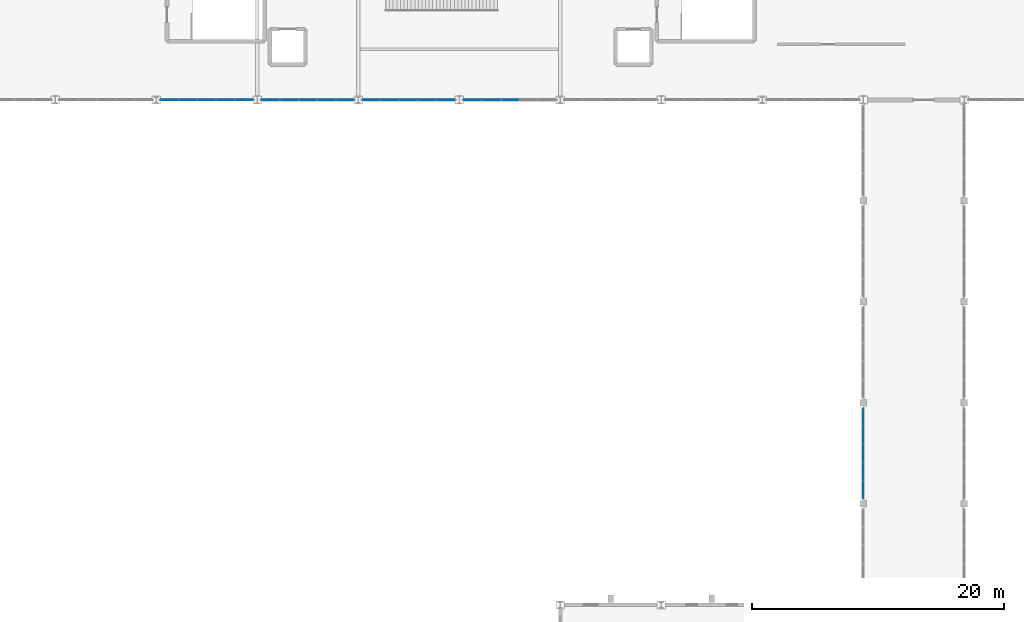
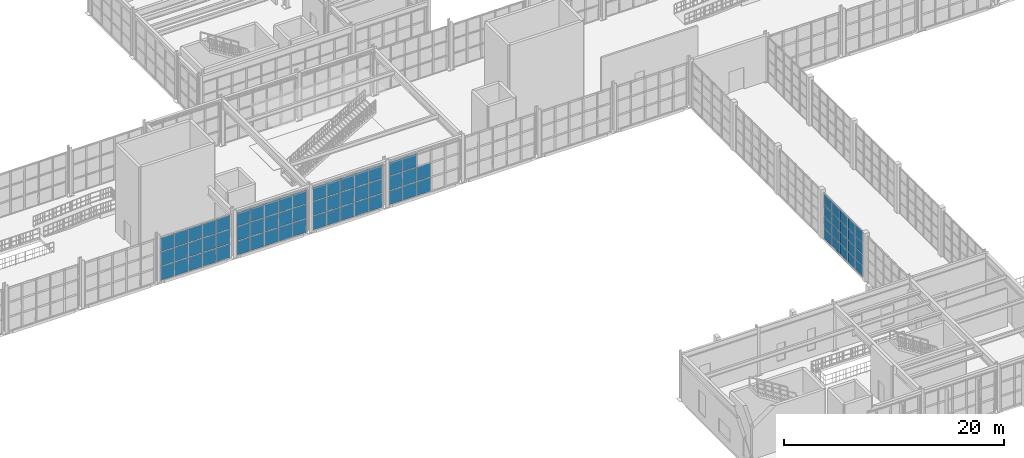
# One storey, part 51 of 82: 73 plates, 5 elements without a shape of their own.
"""IFC4 building model written with IfcOpenShell, lengths in metres."""

from ifc_helpers import new_model, si_unit, direction, frame, origin, origin_2d, place, context, subcontext, project, spatial, rectangle, extrude, material, layer, layer_set, type_object, element, aggregate, save


model = new_model("IFC4")

# Units and contexts
model_context = context("Model", 3, precision=1e-05, world=origin(), true_north=direction((0.0, 1.0)))
body_context = subcontext(model_context, "Body", "Model", "MODEL_VIEW")
ifc_project = project(units=[si_unit("LENGTHUNIT", "METRE"), si_unit("AREAUNIT", "SQUARE_METRE"), si_unit("VOLUMEUNIT", "CUBIC_METRE"), si_unit("PLANEANGLEUNIT", "RADIAN"), si_unit("MASSUNIT", "GRAM", prefix="KILO")], contexts=[model_context])

# Site, building, storey
site_placement = place(None, origin())
site = spatial("IfcSite", under=ifc_project, at=site_placement, CompositionType="ELEMENT")
building_placement = place(site_placement, origin())
building = spatial("IfcBuilding", under=site, at=building_placement, Name="Serraluz Foothill Cableway Terminal", CompositionType="ELEMENT")
storey_placement = place(building_placement, frame((0.0, 0.0, 9.60009765625)))
storey = spatial("IfcBuildingStorey", under=building, at=storey_placement, Name="L02", CompositionType="ELEMENT", Elevation=9.60009765625)

# Curtain wall, plates
ifc_material_1 = material(Name="Architectural bronze alloy C28000", Category="aluminium")
curtain_wall_type_1 = type_object("IfcCurtainWallType", Name="TYP-CW-520X480", PredefinedType="NOTDEFINED", material=ifc_material_1)
curtain_wall_1_placement = place(storey_placement, origin())
curtain_wall_1 = element("IfcCurtainWall", 1, at=curtain_wall_1_placement, inside=storey, type_object=curtain_wall_type_1, Name="Ribbed Glazed Curtain Wall CW-V1S-L02-64", PredefinedType="NOTDEFINED")
ifc_material_2 = material(Name="Translucent ribbed laminated channel glass", Category="glass")
ifc_layer = layer(ifc_material_2, 0.028076171875, Name="Translucent ribbed laminated channel glass", Category="glass")
ifc_layer_set = layer_set([ifc_layer], Name="Translucent ribbed laminated channel glass")
plate_type = type_object("IfcPlateType", Name="TYP-CW-PNL-28", PredefinedType="CURTAIN_PANEL", material=ifc_layer_set)
plate_1_placement = place(storey_placement, frame((70.94091796875, 56.0, 0.06005859375), z_axis=(0.0, 0.0, 1.0), x_axis=(-1.0, 0.0, 0.0)))
plate_1 = element("IfcPlate", 2, at=plate_1_placement, type_object=plate_type, Name="CW-09 panel 1.1", PredefinedType="CURTAIN_PANEL", context=body_context, shape_type="SweptSolid", body=[
    extrude(rectangle(XDim=1.393310546875, YDim=0.028076171875, at=origin_2d()), origin(), (0.0, 0.0, 1.0), 1.526611328125),
])
plate_2_placement = place(storey_placement, frame((70.94091796875, 56.0, 1.646484375), z_axis=(0.0, 0.0, 1.0), x_axis=(-1.0, 0.0, 0.0)))
plate_2 = element("IfcPlate", 3, at=plate_2_placement, type_object=plate_type, Name="CW-09 panel 1.2", PredefinedType="CURTAIN_PANEL", context=body_context, shape_type="SweptSolid", body=[
    extrude(rectangle(XDim=1.393310546875, YDim=0.028076171875, at=origin_2d()), origin(), (0.0, 0.0, 1.0), 1.556640625),
])
plate_3_placement = place(storey_placement, frame((70.94091796875, 56.0, 3.26318359375), z_axis=(0.0, 0.0, 1.0), x_axis=(-1.0, 0.0, 0.0)))
plate_3 = element("IfcPlate", 4, at=plate_3_placement, type_object=plate_type, Name="CW-09 panel 1.3", PredefinedType="CURTAIN_PANEL", context=body_context, shape_type="SweptSolid", body=[
    extrude(rectangle(XDim=1.393310546875, YDim=0.028076171875, at=origin_2d()), origin(), (0.0, 0.0, 1.0), 1.526611328125),
])
plate_4_placement = place(storey_placement, frame((69.47265625, 56.0, 0.06005859375), z_axis=(0.0, 0.0, 1.0), x_axis=(-1.0, 0.0, 0.0)))
plate_4 = element("IfcPlate", 5, at=plate_4_placement, type_object=plate_type, Name="CW-09 panel 2.1", PredefinedType="CURTAIN_PANEL", context=body_context, shape_type="SweptSolid", body=[
    extrude(rectangle(XDim=1.423095703125, YDim=0.028076171875, at=origin_2d()), origin(), (0.0, 0.0, 1.0), 1.526611328125),
])
plate_5_placement = place(storey_placement, frame((69.47265625, 56.0, 1.646484375), z_axis=(0.0, 0.0, 1.0), x_axis=(-1.0, 0.0, 0.0)))
plate_5 = element("IfcPlate", 6, at=plate_5_placement, type_object=plate_type, Name="CW-09 panel 2.2", PredefinedType="CURTAIN_PANEL", context=body_context, shape_type="SweptSolid", body=[
    extrude(rectangle(XDim=1.423095703125, YDim=0.028076171875, at=origin_2d()), origin(), (0.0, 0.0, 1.0), 1.556640625),
])
plate_6_placement = place(storey_placement, frame((69.47265625, 56.0, 3.26318359375), z_axis=(0.0, 0.0, 1.0), x_axis=(-1.0, 0.0, 0.0)))
plate_6 = element("IfcPlate", 7, at=plate_6_placement, type_object=plate_type, Name="CW-09 panel 2.3", PredefinedType="CURTAIN_PANEL", context=body_context, shape_type="SweptSolid", body=[
    extrude(rectangle(XDim=1.423095703125, YDim=0.028076171875, at=origin_2d()), origin(), (0.0, 0.0, 1.0), 1.526611328125),
])
plate_7_placement = place(storey_placement, frame((67.989501953125, 56.0, 0.06005859375), z_axis=(0.0, 0.0, 1.0), x_axis=(-1.0, 0.0, 0.0)))
plate_7 = element("IfcPlate", 8, at=plate_7_placement, type_object=plate_type, Name="CW-09 panel 3.1", PredefinedType="CURTAIN_PANEL", context=body_context, shape_type="SweptSolid", body=[
    extrude(rectangle(XDim=1.423095703125, YDim=0.028076171875, at=origin_2d()), origin(), (0.0, 0.0, 1.0), 1.526611328125),
])
plate_8_placement = place(storey_placement, frame((67.989501953125, 56.0, 1.646484375), z_axis=(0.0, 0.0, 1.0), x_axis=(-1.0, 0.0, 0.0)))
plate_8 = element("IfcPlate", 9, at=plate_8_placement, type_object=plate_type, Name="CW-09 panel 3.2", PredefinedType="CURTAIN_PANEL", context=body_context, shape_type="SweptSolid", body=[
    extrude(rectangle(XDim=1.423095703125, YDim=0.028076171875, at=origin_2d()), origin(), (0.0, 0.0, 1.0), 1.556640625),
])
plate_9_placement = place(storey_placement, frame((67.989501953125, 56.0, 3.26318359375), z_axis=(0.0, 0.0, 1.0), x_axis=(-1.0, 0.0, 0.0)))
plate_9 = element("IfcPlate", 10, at=plate_9_placement, type_object=plate_type, Name="CW-09 panel 3.3", PredefinedType="CURTAIN_PANEL", context=body_context, shape_type="SweptSolid", body=[
    extrude(rectangle(XDim=1.423095703125, YDim=0.028076171875, at=origin_2d()), origin(), (0.0, 0.0, 1.0), 1.526611328125),
])
plate_10_placement = place(storey_placement, frame((66.50634765625, 56.0, 0.06005859375), z_axis=(0.0, 0.0, 1.0), x_axis=(-1.0, 0.0, 0.0)))
plate_10 = element("IfcPlate", 11, at=plate_10_placement, type_object=plate_type, Name="CW-09 panel 4.1", PredefinedType="CURTAIN_PANEL", context=body_context, shape_type="SweptSolid", body=[
    extrude(rectangle(XDim=1.423095703125, YDim=0.028076171875, at=origin_2d()), origin(), (0.0, 0.0, 1.0), 1.526611328125),
])
plate_11_placement = place(storey_placement, frame((66.50634765625, 56.0, 1.646484375), z_axis=(0.0, 0.0, 1.0), x_axis=(-1.0, 0.0, 0.0)))
plate_11 = element("IfcPlate", 12, at=plate_11_placement, type_object=plate_type, Name="CW-09 panel 4.2", PredefinedType="CURTAIN_PANEL", context=body_context, shape_type="SweptSolid", body=[
    extrude(rectangle(XDim=1.423095703125, YDim=0.028076171875, at=origin_2d()), origin(), (0.0, 0.0, 1.0), 1.556640625),
])
plate_12_placement = place(storey_placement, frame((66.50634765625, 56.0, 3.26318359375), z_axis=(0.0, 0.0, 1.0), x_axis=(-1.0, 0.0, 0.0)))
plate_12 = element("IfcPlate", 13, at=plate_12_placement, type_object=plate_type, Name="CW-09 panel 4.3", PredefinedType="CURTAIN_PANEL", context=body_context, shape_type="SweptSolid", body=[
    extrude(rectangle(XDim=1.423095703125, YDim=0.028076171875, at=origin_2d()), origin(), (0.0, 0.0, 1.0), 1.526611328125),
])
plate_13_placement = place(storey_placement, frame((65.0380859375, 56.0, 0.06005859375), z_axis=(0.0, 0.0, 1.0), x_axis=(-1.0, 0.0, 0.0)))
plate_13 = element("IfcPlate", 14, at=plate_13_placement, type_object=plate_type, Name="CW-09 panel 5.1", PredefinedType="CURTAIN_PANEL", context=body_context, shape_type="SweptSolid", body=[
    extrude(rectangle(XDim=1.393310546875, YDim=0.028076171875, at=origin_2d()), origin(), (0.0, 0.0, 1.0), 1.526611328125),
])
plate_14_placement = place(storey_placement, frame((65.0380859375, 56.0, 1.646484375), z_axis=(0.0, 0.0, 1.0), x_axis=(-1.0, 0.0, 0.0)))
plate_14 = element("IfcPlate", 15, at=plate_14_placement, type_object=plate_type, Name="CW-09 panel 5.2", PredefinedType="CURTAIN_PANEL", context=body_context, shape_type="SweptSolid", body=[
    extrude(rectangle(XDim=1.393310546875, YDim=0.028076171875, at=origin_2d()), origin(), (0.0, 0.0, 1.0), 1.556640625),
])
plate_15_placement = place(storey_placement, frame((65.0380859375, 56.0, 3.26318359375), z_axis=(0.0, 0.0, 1.0), x_axis=(-1.0, 0.0, 0.0)))
plate_15 = element("IfcPlate", 16, at=plate_15_placement, type_object=plate_type, Name="CW-09 panel 5.3", PredefinedType="CURTAIN_PANEL", context=body_context, shape_type="SweptSolid", body=[
    extrude(rectangle(XDim=1.393310546875, YDim=0.028076171875, at=origin_2d()), origin(), (0.0, 0.0, 1.0), 1.526611328125),
])
aggregate(curtain_wall_1, [plate_1, plate_2, plate_3, plate_4, plate_5, plate_6, plate_7, plate_8, plate_9, plate_10, plate_11, plate_12, plate_13, plate_14, plate_15])

curtain_wall_type_2 = type_object("IfcCurtainWallType", Name="TYP-CW-540X420", PredefinedType="NOTDEFINED", material=ifc_material_1)
curtain_wall_2_placement = place(storey_placement, origin())
curtain_wall_2 = element("IfcCurtainWall", 17, at=curtain_wall_2_placement, inside=storey, type_object=curtain_wall_type_2, Name="Ribbed Glazed Curtain Wall CW-V1S-L02-72", PredefinedType="NOTDEFINED")
plate_16_placement = place(storey_placement, frame((78.9619140625, 56.0, 0.06005859375), z_axis=(0.0, 0.0, 1.0), x_axis=(-1.0, 0.0, 0.0)))
plate_16 = element("IfcPlate", 18, at=plate_16_placement, type_object=plate_type, Name="CW-10 panel 1.1", PredefinedType="CURTAIN_PANEL", context=body_context, shape_type="SweptSolid", body=[
    extrude(rectangle(XDim=1.393310546875, YDim=0.028076171875, at=origin_2d()), origin(), (0.0, 0.0, 1.0), 1.526611328125),
])
plate_17_placement = place(storey_placement, frame((78.9619140625, 56.0, 1.646484375), z_axis=(0.0, 0.0, 1.0), x_axis=(-1.0, 0.0, 0.0)))
plate_17 = element("IfcPlate", 19, at=plate_17_placement, type_object=plate_type, Name="CW-10 panel 1.2", PredefinedType="CURTAIN_PANEL", context=body_context, shape_type="SweptSolid", body=[
    extrude(rectangle(XDim=1.393310546875, YDim=0.028076171875, at=origin_2d()), origin(), (0.0, 0.0, 1.0), 1.556640625),
])
plate_18_placement = place(storey_placement, frame((78.9619140625, 56.0, 3.26318359375), z_axis=(0.0, 0.0, 1.0), x_axis=(-1.0, 0.0, 0.0)))
plate_18 = element("IfcPlate", 20, at=plate_18_placement, type_object=plate_type, Name="CW-10 panel 1.3", PredefinedType="CURTAIN_PANEL", context=body_context, shape_type="SweptSolid", body=[
    extrude(rectangle(XDim=1.393310546875, YDim=0.028076171875, at=origin_2d()), origin(), (0.0, 0.0, 1.0), 1.526611328125),
])
plate_19_placement = place(storey_placement, frame((77.49365234375, 56.0, 0.06005859375), z_axis=(0.0, 0.0, 1.0), x_axis=(-1.0, 0.0, 0.0)))
plate_19 = element("IfcPlate", 21, at=plate_19_placement, type_object=plate_type, Name="CW-10 panel 2.1", PredefinedType="CURTAIN_PANEL", context=body_context, shape_type="SweptSolid", body=[
    extrude(rectangle(XDim=1.423095703125, YDim=0.028076171875, at=origin_2d()), origin(), (0.0, 0.0, 1.0), 1.526611328125),
])
plate_20_placement = place(storey_placement, frame((77.49365234375, 56.0, 1.646484375), z_axis=(0.0, 0.0, 1.0), x_axis=(-1.0, 0.0, 0.0)))
plate_20 = element("IfcPlate", 22, at=plate_20_placement, type_object=plate_type, Name="CW-10 panel 2.2", PredefinedType="CURTAIN_PANEL", context=body_context, shape_type="SweptSolid", body=[
    extrude(rectangle(XDim=1.423095703125, YDim=0.028076171875, at=origin_2d()), origin(), (0.0, 0.0, 1.0), 1.556640625),
])
plate_21_placement = place(storey_placement, frame((77.49365234375, 56.0, 3.26318359375), z_axis=(0.0, 0.0, 1.0), x_axis=(-1.0, 0.0, 0.0)))
plate_21 = element("IfcPlate", 23, at=plate_21_placement, type_object=plate_type, Name="CW-10 panel 2.3", PredefinedType="CURTAIN_PANEL", context=body_context, shape_type="SweptSolid", body=[
    extrude(rectangle(XDim=1.423095703125, YDim=0.028076171875, at=origin_2d()), origin(), (0.0, 0.0, 1.0), 1.526611328125),
])
plate_22_placement = place(storey_placement, frame((76.010498046875, 56.0, 0.06005859375), z_axis=(0.0, 0.0, 1.0), x_axis=(-1.0, 0.0, 0.0)))
plate_22 = element("IfcPlate", 24, at=plate_22_placement, type_object=plate_type, Name="CW-10 panel 3.1", PredefinedType="CURTAIN_PANEL", context=body_context, shape_type="SweptSolid", body=[
    extrude(rectangle(XDim=1.423095703125, YDim=0.028076171875, at=origin_2d()), origin(), (0.0, 0.0, 1.0), 1.526611328125),
])
plate_23_placement = place(storey_placement, frame((76.010498046875, 56.0, 1.646484375), z_axis=(0.0, 0.0, 1.0), x_axis=(-1.0, 0.0, 0.0)))
plate_23 = element("IfcPlate", 25, at=plate_23_placement, type_object=plate_type, Name="CW-10 panel 3.2", PredefinedType="CURTAIN_PANEL", context=body_context, shape_type="SweptSolid", body=[
    extrude(rectangle(XDim=1.423095703125, YDim=0.028076171875, at=origin_2d()), origin(), (0.0, 0.0, 1.0), 1.556640625),
])
plate_24_placement = place(storey_placement, frame((76.010498046875, 56.0, 3.26318359375), z_axis=(0.0, 0.0, 1.0), x_axis=(-1.0, 0.0, 0.0)))
plate_24 = element("IfcPlate", 26, at=plate_24_placement, type_object=plate_type, Name="CW-10 panel 3.3", PredefinedType="CURTAIN_PANEL", context=body_context, shape_type="SweptSolid", body=[
    extrude(rectangle(XDim=1.423095703125, YDim=0.028076171875, at=origin_2d()), origin(), (0.0, 0.0, 1.0), 1.526611328125),
])
plate_25_placement = place(storey_placement, frame((74.52734375, 56.0, 0.06005859375), z_axis=(0.0, 0.0, 1.0), x_axis=(-1.0, 0.0, 0.0)))
plate_25 = element("IfcPlate", 27, at=plate_25_placement, type_object=plate_type, Name="CW-10 panel 4.1", PredefinedType="CURTAIN_PANEL", context=body_context, shape_type="SweptSolid", body=[
    extrude(rectangle(XDim=1.423095703125, YDim=0.028076171875, at=origin_2d()), origin(), (0.0, 0.0, 1.0), 1.526611328125),
])
plate_26_placement = place(storey_placement, frame((74.52734375, 56.0, 1.646484375), z_axis=(0.0, 0.0, 1.0), x_axis=(-1.0, 0.0, 0.0)))
plate_26 = element("IfcPlate", 28, at=plate_26_placement, type_object=plate_type, Name="CW-10 panel 4.2", PredefinedType="CURTAIN_PANEL", context=body_context, shape_type="SweptSolid", body=[
    extrude(rectangle(XDim=1.423095703125, YDim=0.028076171875, at=origin_2d()), origin(), (0.0, 0.0, 1.0), 1.556640625),
])
plate_27_placement = place(storey_placement, frame((74.52734375, 56.0, 3.26318359375), z_axis=(0.0, 0.0, 1.0), x_axis=(-1.0, 0.0, 0.0)))
plate_27 = element("IfcPlate", 29, at=plate_27_placement, type_object=plate_type, Name="CW-10 panel 4.3", PredefinedType="CURTAIN_PANEL", context=body_context, shape_type="SweptSolid", body=[
    extrude(rectangle(XDim=1.423095703125, YDim=0.028076171875, at=origin_2d()), origin(), (0.0, 0.0, 1.0), 1.526611328125),
])
plate_28_placement = place(storey_placement, frame((73.05908203125, 56.0, 0.06005859375), z_axis=(0.0, 0.0, 1.0), x_axis=(-1.0, 0.0, 0.0)))
plate_28 = element("IfcPlate", 30, at=plate_28_placement, type_object=plate_type, Name="CW-10 panel 5.1", PredefinedType="CURTAIN_PANEL", context=body_context, shape_type="SweptSolid", body=[
    extrude(rectangle(XDim=1.393310546875, YDim=0.028076171875, at=origin_2d()), origin(), (0.0, 0.0, 1.0), 1.526611328125),
])
plate_29_placement = place(storey_placement, frame((73.05908203125, 56.0, 1.646484375), z_axis=(0.0, 0.0, 1.0), x_axis=(-1.0, 0.0, 0.0)))
plate_29 = element("IfcPlate", 31, at=plate_29_placement, type_object=plate_type, Name="CW-10 panel 5.2", PredefinedType="CURTAIN_PANEL", context=body_context, shape_type="SweptSolid", body=[
    extrude(rectangle(XDim=1.393310546875, YDim=0.028076171875, at=origin_2d()), origin(), (0.0, 0.0, 1.0), 1.556640625),
])
plate_30_placement = place(storey_placement, frame((73.05908203125, 56.0, 3.26318359375), z_axis=(0.0, 0.0, 1.0), x_axis=(-1.0, 0.0, 0.0)))
plate_30 = element("IfcPlate", 32, at=plate_30_placement, type_object=plate_type, Name="CW-10 panel 5.3", PredefinedType="CURTAIN_PANEL", context=body_context, shape_type="SweptSolid", body=[
    extrude(rectangle(XDim=1.393310546875, YDim=0.028076171875, at=origin_2d()), origin(), (0.0, 0.0, 1.0), 1.526611328125),
])
aggregate(curtain_wall_2, [plate_16, plate_17, plate_18, plate_19, plate_20, plate_21, plate_22, plate_23, plate_24, plate_25, plate_26, plate_27, plate_28, plate_29, plate_30])

curtain_wall_type_3 = type_object("IfcCurtainWallType", Name="TYP-CW-620X420", PredefinedType="NOTDEFINED", material=ifc_material_1)
curtain_wall_3_placement = place(storey_placement, origin())
curtain_wall_3 = element("IfcCurtainWall", 33, at=curtain_wall_3_placement, inside=storey, type_object=curtain_wall_type_3, Name="Ribbed Glazed Curtain Wall CW-V1S-L02-80", PredefinedType="NOTDEFINED")
plate_31_placement = place(storey_placement, frame((86.94091796875, 56.0, 0.06005859375), z_axis=(0.0, 0.0, 1.0), x_axis=(-1.0, 0.0, 0.0)))
plate_31 = element("IfcPlate", 34, at=plate_31_placement, type_object=plate_type, Name="CW-11 panel 1.1", PredefinedType="CURTAIN_PANEL", context=body_context, shape_type="SweptSolid", body=[
    extrude(rectangle(XDim=1.393310546875, YDim=0.028076171875, at=origin_2d()), origin(), (0.0, 0.0, 1.0), 1.526611328125),
])
plate_32_placement = place(storey_placement, frame((86.94091796875, 56.0, 1.646484375), z_axis=(0.0, 0.0, 1.0), x_axis=(-1.0, 0.0, 0.0)))
plate_32 = element("IfcPlate", 35, at=plate_32_placement, type_object=plate_type, Name="CW-11 panel 1.2", PredefinedType="CURTAIN_PANEL", context=body_context, shape_type="SweptSolid", body=[
    extrude(rectangle(XDim=1.393310546875, YDim=0.028076171875, at=origin_2d()), origin(), (0.0, 0.0, 1.0), 1.556640625),
])
plate_33_placement = place(storey_placement, frame((86.94091796875, 56.0, 3.26318359375), z_axis=(0.0, 0.0, 1.0), x_axis=(-1.0, 0.0, 0.0)))
plate_33 = element("IfcPlate", 36, at=plate_33_placement, type_object=plate_type, Name="CW-11 panel 1.3", PredefinedType="CURTAIN_PANEL", context=body_context, shape_type="SweptSolid", body=[
    extrude(rectangle(XDim=1.393310546875, YDim=0.028076171875, at=origin_2d()), origin(), (0.0, 0.0, 1.0), 1.526611328125),
])
plate_34_placement = place(storey_placement, frame((85.47265625, 56.0, 0.06005859375), z_axis=(0.0, 0.0, 1.0), x_axis=(-1.0, 0.0, 0.0)))
plate_34 = element("IfcPlate", 37, at=plate_34_placement, type_object=plate_type, Name="CW-11 panel 2.1", PredefinedType="CURTAIN_PANEL", context=body_context, shape_type="SweptSolid", body=[
    extrude(rectangle(XDim=1.423095703125, YDim=0.028076171875, at=origin_2d()), origin(), (0.0, 0.0, 1.0), 1.526611328125),
])
plate_35_placement = place(storey_placement, frame((85.47265625, 56.0, 1.646484375), z_axis=(0.0, 0.0, 1.0), x_axis=(-1.0, 0.0, 0.0)))
plate_35 = element("IfcPlate", 38, at=plate_35_placement, type_object=plate_type, Name="CW-11 panel 2.2", PredefinedType="CURTAIN_PANEL", context=body_context, shape_type="SweptSolid", body=[
    extrude(rectangle(XDim=1.423095703125, YDim=0.028076171875, at=origin_2d()), origin(), (0.0, 0.0, 1.0), 1.556640625),
])
plate_36_placement = place(storey_placement, frame((85.47265625, 56.0, 3.26318359375), z_axis=(0.0, 0.0, 1.0), x_axis=(-1.0, 0.0, 0.0)))
plate_36 = element("IfcPlate", 39, at=plate_36_placement, type_object=plate_type, Name="CW-11 panel 2.3", PredefinedType="CURTAIN_PANEL", context=body_context, shape_type="SweptSolid", body=[
    extrude(rectangle(XDim=1.423095703125, YDim=0.028076171875, at=origin_2d()), origin(), (0.0, 0.0, 1.0), 1.526611328125),
])
plate_37_placement = place(storey_placement, frame((83.989501953125, 56.0, 0.06005859375), z_axis=(0.0, 0.0, 1.0), x_axis=(-1.0, 0.0, 0.0)))
plate_37 = element("IfcPlate", 40, at=plate_37_placement, type_object=plate_type, Name="CW-11 panel 3.1", PredefinedType="CURTAIN_PANEL", context=body_context, shape_type="SweptSolid", body=[
    extrude(rectangle(XDim=1.423095703125, YDim=0.028076171875, at=origin_2d()), origin(), (0.0, 0.0, 1.0), 1.526611328125),
])
plate_38_placement = place(storey_placement, frame((83.989501953125, 56.0, 1.646484375), z_axis=(0.0, 0.0, 1.0), x_axis=(-1.0, 0.0, 0.0)))
plate_38 = element("IfcPlate", 41, at=plate_38_placement, type_object=plate_type, Name="CW-11 panel 3.2", PredefinedType="CURTAIN_PANEL", context=body_context, shape_type="SweptSolid", body=[
    extrude(rectangle(XDim=1.423095703125, YDim=0.028076171875, at=origin_2d()), origin(), (0.0, 0.0, 1.0), 1.556640625),
])
plate_39_placement = place(storey_placement, frame((83.989501953125, 56.0, 3.26318359375), z_axis=(0.0, 0.0, 1.0), x_axis=(-1.0, 0.0, 0.0)))
plate_39 = element("IfcPlate", 42, at=plate_39_placement, type_object=plate_type, Name="CW-11 panel 3.3", PredefinedType="CURTAIN_PANEL", context=body_context, shape_type="SweptSolid", body=[
    extrude(rectangle(XDim=1.423095703125, YDim=0.028076171875, at=origin_2d()), origin(), (0.0, 0.0, 1.0), 1.526611328125),
])
plate_40_placement = place(storey_placement, frame((82.50634765625, 56.0, 0.06005859375), z_axis=(0.0, 0.0, 1.0), x_axis=(-1.0, 0.0, 0.0)))
plate_40 = element("IfcPlate", 43, at=plate_40_placement, type_object=plate_type, Name="CW-11 panel 4.1", PredefinedType="CURTAIN_PANEL", context=body_context, shape_type="SweptSolid", body=[
    extrude(rectangle(XDim=1.423095703125, YDim=0.028076171875, at=origin_2d()), origin(), (0.0, 0.0, 1.0), 1.526611328125),
])
plate_41_placement = place(storey_placement, frame((82.50634765625, 56.0, 1.646484375), z_axis=(0.0, 0.0, 1.0), x_axis=(-1.0, 0.0, 0.0)))
plate_41 = element("IfcPlate", 44, at=plate_41_placement, type_object=plate_type, Name="CW-11 panel 4.2", PredefinedType="CURTAIN_PANEL", context=body_context, shape_type="SweptSolid", body=[
    extrude(rectangle(XDim=1.423095703125, YDim=0.028076171875, at=origin_2d()), origin(), (0.0, 0.0, 1.0), 1.556640625),
])
plate_42_placement = place(storey_placement, frame((82.50634765625, 56.0, 3.26318359375), z_axis=(0.0, 0.0, 1.0), x_axis=(-1.0, 0.0, 0.0)))
plate_42 = element("IfcPlate", 45, at=plate_42_placement, type_object=plate_type, Name="CW-11 panel 4.3", PredefinedType="CURTAIN_PANEL", context=body_context, shape_type="SweptSolid", body=[
    extrude(rectangle(XDim=1.423095703125, YDim=0.028076171875, at=origin_2d()), origin(), (0.0, 0.0, 1.0), 1.526611328125),
])
plate_43_placement = place(storey_placement, frame((81.0380859375, 56.0, 0.06005859375), z_axis=(0.0, 0.0, 1.0), x_axis=(-1.0, 0.0, 0.0)))
plate_43 = element("IfcPlate", 46, at=plate_43_placement, type_object=plate_type, Name="CW-11 panel 5.1", PredefinedType="CURTAIN_PANEL", context=body_context, shape_type="SweptSolid", body=[
    extrude(rectangle(XDim=1.393310546875, YDim=0.028076171875, at=origin_2d()), origin(), (0.0, 0.0, 1.0), 1.526611328125),
])
plate_44_placement = place(storey_placement, frame((81.0380859375, 56.0, 1.646484375), z_axis=(0.0, 0.0, 1.0), x_axis=(-1.0, 0.0, 0.0)))
plate_44 = element("IfcPlate", 47, at=plate_44_placement, type_object=plate_type, Name="CW-11 panel 5.2", PredefinedType="CURTAIN_PANEL", context=body_context, shape_type="SweptSolid", body=[
    extrude(rectangle(XDim=1.393310546875, YDim=0.028076171875, at=origin_2d()), origin(), (0.0, 0.0, 1.0), 1.556640625),
])
plate_45_placement = place(storey_placement, frame((81.0380859375, 56.0, 3.26318359375), z_axis=(0.0, 0.0, 1.0), x_axis=(-1.0, 0.0, 0.0)))
plate_45 = element("IfcPlate", 48, at=plate_45_placement, type_object=plate_type, Name="CW-11 panel 5.3", PredefinedType="CURTAIN_PANEL", context=body_context, shape_type="SweptSolid", body=[
    extrude(rectangle(XDim=1.393310546875, YDim=0.028076171875, at=origin_2d()), origin(), (0.0, 0.0, 1.0), 1.526611328125),
])
aggregate(curtain_wall_3, [plate_31, plate_32, plate_33, plate_34, plate_35, plate_36, plate_37, plate_38, plate_39, plate_40, plate_41, plate_42, plate_43, plate_44, plate_45])

curtain_wall_type_4 = type_object("IfcCurtainWallType", Name="TYP-CW-640X440", PredefinedType="NOTDEFINED", material=ifc_material_1)
curtain_wall_4_placement = place(storey_placement, origin())
curtain_wall_4 = element("IfcCurtainWall", 49, at=curtain_wall_4_placement, inside=storey, type_object=curtain_wall_type_4, Name="Ribbed Glazed Curtain Wall CW-V1S-L02-88", PredefinedType="NOTDEFINED")
plate_46_placement = place(storey_placement, frame((92.010498046875, 56.0, 0.06005859375), z_axis=(0.0, 0.0, 1.0), x_axis=(-1.0, 0.0, 0.0)))
plate_46 = element("IfcPlate", 50, at=plate_46_placement, type_object=plate_type, Name="CW-12 panel 3.1", PredefinedType="CURTAIN_PANEL", context=body_context, shape_type="SweptSolid", body=[
    extrude(rectangle(XDim=1.423095703125, YDim=0.028076171875, at=origin_2d()), origin(), (0.0, 0.0, 1.0), 1.526611328125),
])
plate_47_placement = place(storey_placement, frame((92.010498046875, 56.0, 1.646484375), z_axis=(0.0, 0.0, 1.0), x_axis=(-1.0, 0.0, 0.0)))
plate_47 = element("IfcPlate", 51, at=plate_47_placement, type_object=plate_type, Name="CW-12 panel 3.2", PredefinedType="CURTAIN_PANEL", context=body_context, shape_type="SweptSolid", body=[
    extrude(rectangle(XDim=1.423095703125, YDim=0.028076171875, at=origin_2d()), origin(), (0.0, 0.0, 1.0), 1.556640625),
])
plate_48_placement = place(storey_placement, frame((90.52734375, 56.0, 0.06005859375), z_axis=(0.0, 0.0, 1.0), x_axis=(-1.0, 0.0, 0.0)))
plate_48 = element("IfcPlate", 52, at=plate_48_placement, type_object=plate_type, Name="CW-12 panel 4.1", PredefinedType="CURTAIN_PANEL", context=body_context, shape_type="SweptSolid", body=[
    extrude(rectangle(XDim=1.423095703125, YDim=0.028076171875, at=origin_2d()), origin(), (0.0, 0.0, 1.0), 1.526611328125),
])
plate_49_placement = place(storey_placement, frame((90.52734375, 56.0, 1.646484375), z_axis=(0.0, 0.0, 1.0), x_axis=(-1.0, 0.0, 0.0)))
plate_49 = element("IfcPlate", 53, at=plate_49_placement, type_object=plate_type, Name="CW-12 panel 4.2", PredefinedType="CURTAIN_PANEL", context=body_context, shape_type="SweptSolid", body=[
    extrude(rectangle(XDim=1.423095703125, YDim=0.028076171875, at=origin_2d()), origin(), (0.0, 0.0, 1.0), 1.556640625),
])
plate_50_placement = place(storey_placement, frame((90.52734375, 56.0, 3.26318359375), z_axis=(0.0, 0.0, 1.0), x_axis=(-1.0, 0.0, 0.0)))
plate_50 = element("IfcPlate", 54, at=plate_50_placement, type_object=plate_type, Name="CW-12 panel 4.3", PredefinedType="CURTAIN_PANEL", context=body_context, shape_type="SweptSolid", body=[
    extrude(rectangle(XDim=1.423095703125, YDim=0.028076171875, at=origin_2d()), origin(), (0.0, 0.0, 1.0), 1.526611328125),
])
plate_51_placement = place(storey_placement, frame((89.05908203125, 56.0, 0.06005859375), z_axis=(0.0, 0.0, 1.0), x_axis=(-1.0, 0.0, 0.0)))
plate_51 = element("IfcPlate", 55, at=plate_51_placement, type_object=plate_type, Name="CW-12 panel 5.1", PredefinedType="CURTAIN_PANEL", context=body_context, shape_type="SweptSolid", body=[
    extrude(rectangle(XDim=1.393310546875, YDim=0.028076171875, at=origin_2d()), origin(), (0.0, 0.0, 1.0), 1.526611328125),
])
plate_52_placement = place(storey_placement, frame((89.05908203125, 56.0, 1.646484375), z_axis=(0.0, 0.0, 1.0), x_axis=(-1.0, 0.0, 0.0)))
plate_52 = element("IfcPlate", 56, at=plate_52_placement, type_object=plate_type, Name="CW-12 panel 5.2", PredefinedType="CURTAIN_PANEL", context=body_context, shape_type="SweptSolid", body=[
    extrude(rectangle(XDim=1.393310546875, YDim=0.028076171875, at=origin_2d()), origin(), (0.0, 0.0, 1.0), 1.556640625),
])
plate_53_placement = place(storey_placement, frame((89.05908203125, 56.0, 3.26318359375), z_axis=(0.0, 0.0, 1.0), x_axis=(-1.0, 0.0, 0.0)))
plate_53 = element("IfcPlate", 57, at=plate_53_placement, type_object=plate_type, Name="CW-12 panel 5.3", PredefinedType="CURTAIN_PANEL", context=body_context, shape_type="SweptSolid", body=[
    extrude(rectangle(XDim=1.393310546875, YDim=0.028076171875, at=origin_2d()), origin(), (0.0, 0.0, 1.0), 1.526611328125),
])
aggregate(curtain_wall_4, [plate_46, plate_47, plate_48, plate_49, plate_50, plate_51, plate_52, plate_53])

curtain_wall_type_5 = type_object("IfcCurtainWallType", Name="TYP-CW-710X420", PredefinedType="NOTDEFINED", material=ifc_material_1)
curtain_wall_5_placement = place(storey_placement, origin())
curtain_wall_5 = element("IfcCurtainWall", 58, at=curtain_wall_5_placement, inside=storey, type_object=curtain_wall_type_5, Name="Ribbed Glazed Curtain Wall CW-CLW-L02-24", PredefinedType="NOTDEFINED")
plate_54_placement = place(storey_placement, frame((120.0, 25.126953125, 0.059814453125), z_axis=(0.0, 0.0, 1.0), x_axis=(0.0, 1.0, 0.0)))
plate_54 = element("IfcPlate", 59, at=plate_54_placement, type_object=plate_type, Name="CW-01 panel 1.1", PredefinedType="CURTAIN_PANEL", context=body_context, shape_type="SweptSolid", body=[
    extrude(rectangle(XDim=1.35400390625, YDim=0.028076171875, at=origin_2d()), origin(), (0.0, 0.0, 1.0), 1.18505859375),
])
plate_55_placement = place(storey_placement, frame((120.0, 25.126953125, 1.3046875), z_axis=(0.0, 0.0, 1.0), x_axis=(0.0, 1.0, 0.0)))
plate_55 = element("IfcPlate", 60, at=plate_55_placement, type_object=plate_type, Name="CW-01 panel 1.2", PredefinedType="CURTAIN_PANEL", context=body_context, shape_type="SweptSolid", body=[
    extrude(rectangle(XDim=1.35400390625, YDim=0.028076171875, at=origin_2d()), origin(), (0.0, 0.0, 1.0), 1.215087890625),
])
plate_56_placement = place(storey_placement, frame((120.0, 25.126953125, 2.580078125), z_axis=(0.0, 0.0, 1.0), x_axis=(0.0, 1.0, 0.0)))
plate_56 = element("IfcPlate", 61, at=plate_56_placement, type_object=plate_type, Name="CW-01 panel 1.3", PredefinedType="CURTAIN_PANEL", context=body_context, shape_type="SweptSolid", body=[
    extrude(rectangle(XDim=1.35400390625, YDim=0.028076171875, at=origin_2d()), origin(), (0.0, 0.0, 1.0), 1.215087890625),
])
plate_57_placement = place(storey_placement, frame((120.0, 25.126953125, 3.85498046875), z_axis=(0.0, 0.0, 1.0), x_axis=(0.0, 1.0, 0.0)))
plate_57 = element("IfcPlate", 62, at=plate_57_placement, type_object=plate_type, Name="CW-01 panel 1.4", PredefinedType="CURTAIN_PANEL", context=body_context, shape_type="SweptSolid", body=[
    extrude(rectangle(XDim=1.35400390625, YDim=0.028076171875, at=origin_2d()), origin(), (0.0, 0.0, 1.0), 1.18505859375),
])
plate_58_placement = place(storey_placement, frame((120.0, 26.555908203125, 0.059814453125), z_axis=(0.0, 0.0, 1.0), x_axis=(0.0, 1.0, 0.0)))
plate_58 = element("IfcPlate", 63, at=plate_58_placement, type_object=plate_type, Name="CW-01 panel 2.1", PredefinedType="CURTAIN_PANEL", context=body_context, shape_type="SweptSolid", body=[
    extrude(rectangle(XDim=1.384033203125, YDim=0.028076171875, at=origin_2d()), origin(), (0.0, 0.0, 1.0), 1.18505859375),
])
plate_59_placement = place(storey_placement, frame((120.0, 26.555908203125, 1.3046875), z_axis=(0.0, 0.0, 1.0), x_axis=(0.0, 1.0, 0.0)))
plate_59 = element("IfcPlate", 64, at=plate_59_placement, type_object=plate_type, Name="CW-01 panel 2.2", PredefinedType="CURTAIN_PANEL", context=body_context, shape_type="SweptSolid", body=[
    extrude(rectangle(XDim=1.384033203125, YDim=0.028076171875, at=origin_2d()), origin(), (0.0, 0.0, 1.0), 1.215087890625),
])
plate_60_placement = place(storey_placement, frame((120.0, 26.555908203125, 2.580078125), z_axis=(0.0, 0.0, 1.0), x_axis=(0.0, 1.0, 0.0)))
plate_60 = element("IfcPlate", 65, at=plate_60_placement, type_object=plate_type, Name="CW-01 panel 2.3", PredefinedType="CURTAIN_PANEL", context=body_context, shape_type="SweptSolid", body=[
    extrude(rectangle(XDim=1.384033203125, YDim=0.028076171875, at=origin_2d()), origin(), (0.0, 0.0, 1.0), 1.215087890625),
])
plate_61_placement = place(storey_placement, frame((120.0, 26.555908203125, 3.85498046875), z_axis=(0.0, 0.0, 1.0), x_axis=(0.0, 1.0, 0.0)))
plate_61 = element("IfcPlate", 66, at=plate_61_placement, type_object=plate_type, Name="CW-01 panel 2.4", PredefinedType="CURTAIN_PANEL", context=body_context, shape_type="SweptSolid", body=[
    extrude(rectangle(XDim=1.384033203125, YDim=0.028076171875, at=origin_2d()), origin(), (0.0, 0.0, 1.0), 1.18505859375),
])
plate_62_placement = place(storey_placement, frame((120.0, 28.0, 0.059814453125), z_axis=(0.0, 0.0, 1.0), x_axis=(0.0, 1.0, 0.0)))
plate_62 = element("IfcPlate", 67, at=plate_62_placement, type_object=plate_type, Name="CW-01 panel 3.1", PredefinedType="CURTAIN_PANEL", context=body_context, shape_type="SweptSolid", body=[
    extrude(rectangle(XDim=1.384033203125, YDim=0.028076171875, at=origin_2d()), origin(), (0.0, 0.0, 1.0), 1.18505859375),
])
plate_63_placement = place(storey_placement, frame((120.0, 28.0, 1.3046875), z_axis=(0.0, 0.0, 1.0), x_axis=(0.0, 1.0, 0.0)))
plate_63 = element("IfcPlate", 68, at=plate_63_placement, type_object=plate_type, Name="CW-01 panel 3.2", PredefinedType="CURTAIN_PANEL", context=body_context, shape_type="SweptSolid", body=[
    extrude(rectangle(XDim=1.384033203125, YDim=0.028076171875, at=origin_2d()), origin(), (0.0, 0.0, 1.0), 1.215087890625),
])
plate_64_placement = place(storey_placement, frame((120.0, 28.0, 2.580078125), z_axis=(0.0, 0.0, 1.0), x_axis=(0.0, 1.0, 0.0)))
plate_64 = element("IfcPlate", 69, at=plate_64_placement, type_object=plate_type, Name="CW-01 panel 3.3", PredefinedType="CURTAIN_PANEL", context=body_context, shape_type="SweptSolid", body=[
    extrude(rectangle(XDim=1.384033203125, YDim=0.028076171875, at=origin_2d()), origin(), (0.0, 0.0, 1.0), 1.215087890625),
])
plate_65_placement = place(storey_placement, frame((120.0, 28.0, 3.85498046875), z_axis=(0.0, 0.0, 1.0), x_axis=(0.0, 1.0, 0.0)))
plate_65 = element("IfcPlate", 70, at=plate_65_placement, type_object=plate_type, Name="CW-01 panel 3.4", PredefinedType="CURTAIN_PANEL", context=body_context, shape_type="SweptSolid", body=[
    extrude(rectangle(XDim=1.384033203125, YDim=0.028076171875, at=origin_2d()), origin(), (0.0, 0.0, 1.0), 1.18505859375),
])
plate_66_placement = place(storey_placement, frame((120.0, 29.444091796875, 0.059814453125), z_axis=(0.0, 0.0, 1.0), x_axis=(0.0, 1.0, 0.0)))
plate_66 = element("IfcPlate", 71, at=plate_66_placement, type_object=plate_type, Name="CW-01 panel 4.1", PredefinedType="CURTAIN_PANEL", context=body_context, shape_type="SweptSolid", body=[
    extrude(rectangle(XDim=1.384033203125, YDim=0.028076171875, at=origin_2d()), origin(), (0.0, 0.0, 1.0), 1.18505859375),
])
plate_67_placement = place(storey_placement, frame((120.0, 29.444091796875, 1.3046875), z_axis=(0.0, 0.0, 1.0), x_axis=(0.0, 1.0, 0.0)))
plate_67 = element("IfcPlate", 72, at=plate_67_placement, type_object=plate_type, Name="CW-01 panel 4.2", PredefinedType="CURTAIN_PANEL", context=body_context, shape_type="SweptSolid", body=[
    extrude(rectangle(XDim=1.384033203125, YDim=0.028076171875, at=origin_2d()), origin(), (0.0, 0.0, 1.0), 1.215087890625),
])
plate_68_placement = place(storey_placement, frame((120.0, 29.444091796875, 2.580078125), z_axis=(0.0, 0.0, 1.0), x_axis=(0.0, 1.0, 0.0)))
plate_68 = element("IfcPlate", 73, at=plate_68_placement, type_object=plate_type, Name="CW-01 panel 4.3", PredefinedType="CURTAIN_PANEL", context=body_context, shape_type="SweptSolid", body=[
    extrude(rectangle(XDim=1.384033203125, YDim=0.028076171875, at=origin_2d()), origin(), (0.0, 0.0, 1.0), 1.215087890625),
])
plate_69_placement = place(storey_placement, frame((120.0, 29.444091796875, 3.85498046875), z_axis=(0.0, 0.0, 1.0), x_axis=(0.0, 1.0, 0.0)))
plate_69 = element("IfcPlate", 74, at=plate_69_placement, type_object=plate_type, Name="CW-01 panel 4.4", PredefinedType="CURTAIN_PANEL", context=body_context, shape_type="SweptSolid", body=[
    extrude(rectangle(XDim=1.384033203125, YDim=0.028076171875, at=origin_2d()), origin(), (0.0, 0.0, 1.0), 1.18505859375),
])
plate_70_placement = place(storey_placement, frame((120.0, 30.873046875, 0.059814453125), z_axis=(0.0, 0.0, 1.0), x_axis=(0.0, 1.0, 0.0)))
plate_70 = element("IfcPlate", 75, at=plate_70_placement, type_object=plate_type, Name="CW-01 panel 5.1", PredefinedType="CURTAIN_PANEL", context=body_context, shape_type="SweptSolid", body=[
    extrude(rectangle(XDim=1.35400390625, YDim=0.028076171875, at=origin_2d()), origin(), (0.0, 0.0, 1.0), 1.18505859375),
])
plate_71_placement = place(storey_placement, frame((120.0, 30.873046875, 1.3046875), z_axis=(0.0, 0.0, 1.0), x_axis=(0.0, 1.0, 0.0)))
plate_71 = element("IfcPlate", 76, at=plate_71_placement, type_object=plate_type, Name="CW-01 panel 5.2", PredefinedType="CURTAIN_PANEL", context=body_context, shape_type="SweptSolid", body=[
    extrude(rectangle(XDim=1.35400390625, YDim=0.028076171875, at=origin_2d()), origin(), (0.0, 0.0, 1.0), 1.215087890625),
])
plate_72_placement = place(storey_placement, frame((120.0, 30.873046875, 2.580078125), z_axis=(0.0, 0.0, 1.0), x_axis=(0.0, 1.0, 0.0)))
plate_72 = element("IfcPlate", 77, at=plate_72_placement, type_object=plate_type, Name="CW-01 panel 5.3", PredefinedType="CURTAIN_PANEL", context=body_context, shape_type="SweptSolid", body=[
    extrude(rectangle(XDim=1.35400390625, YDim=0.028076171875, at=origin_2d()), origin(), (0.0, 0.0, 1.0), 1.215087890625),
])
plate_73_placement = place(storey_placement, frame((120.0, 30.873046875, 3.85498046875), z_axis=(0.0, 0.0, 1.0), x_axis=(0.0, 1.0, 0.0)))
plate_73 = element("IfcPlate", 78, at=plate_73_placement, type_object=plate_type, Name="CW-01 panel 5.4", PredefinedType="CURTAIN_PANEL", context=body_context, shape_type="SweptSolid", body=[
    extrude(rectangle(XDim=1.35400390625, YDim=0.028076171875, at=origin_2d()), origin(), (0.0, 0.0, 1.0), 1.18505859375),
])
aggregate(curtain_wall_5, [plate_54, plate_55, plate_56, plate_57, plate_58, plate_59, plate_60, plate_61, plate_62, plate_63, plate_64, plate_65, plate_66, plate_67, plate_68, plate_69, plate_70, plate_71, plate_72, plate_73])

save(model, "model.ifc")
